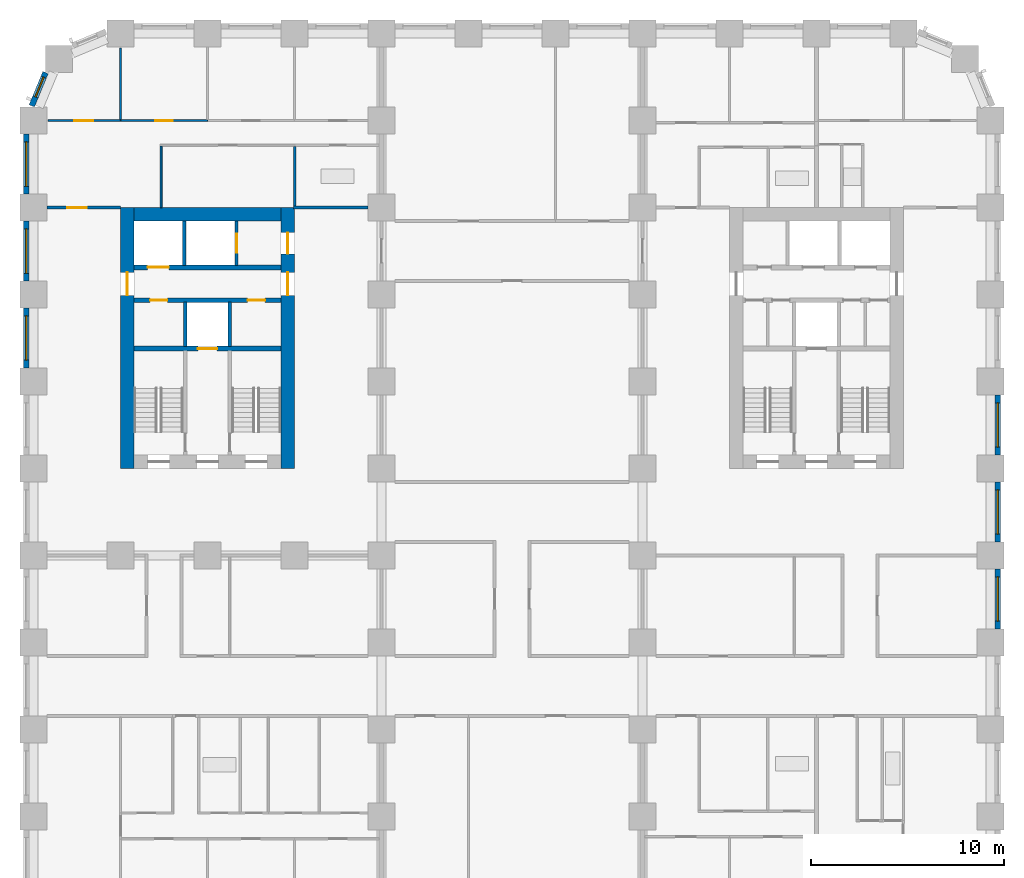
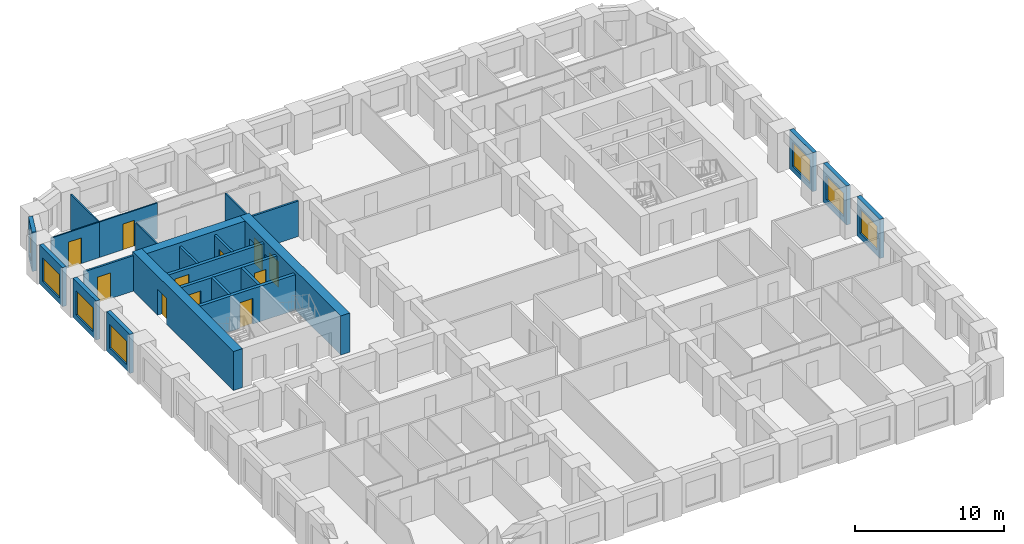
# One storey, part 6 of 12: 24 walls, 11 doors, 7 windows, 18 openings.
"""IFC4 building model written with IfcOpenShell, lengths in metres."""

from ifc_helpers import new_model, si_unit, direction, frame, frame_2d, origin, place, context, subcontext, project, spatial, rectangle, extrude, material, layer, layer_set, type_object, element, fill, save


model = new_model("IFC4")

# Units and contexts
model_context = context("Model", 3, precision=1e-05, world=origin(), true_north=direction((0.0, 1.0)))
body_context = subcontext(model_context, "Body", "Model", "MODEL_VIEW")
ifc_project = project(units=[si_unit("LENGTHUNIT", "METRE"), si_unit("AREAUNIT", "SQUARE_METRE"), si_unit("VOLUMEUNIT", "CUBIC_METRE"), si_unit("PLANEANGLEUNIT", "RADIAN"), si_unit("MASSUNIT", "GRAM", prefix="KILO")], contexts=[model_context])

# Site, building, storey
site_placement = place(None, origin())
site = spatial("IfcSite", under=ifc_project, at=site_placement, CompositionType="ELEMENT")
building_placement = place(site_placement, origin())
building = spatial("IfcBuilding", under=site, at=building_placement, Name="Girih Gate Residences", CompositionType="ELEMENT")
storey_placement = place(building_placement, frame((0.0, 0.0, 62.39990234375)))
storey = spatial("IfcBuildingStorey", under=building, at=storey_placement, Name="L16", CompositionType="ELEMENT", Elevation=62.39990234375)

# Wall
ifc_material_1 = material(Name="Gypsum board on steel studs", Category="steel")
ifc_layer_1 = layer(ifc_material_1, 0.14990234375)
ifc_layer_set_1 = layer_set([ifc_layer_1], Name="Compartment wall 150 mm")
wall_type_1 = type_object("IfcWallType", Name="Compartment wall 150 mm", PredefinedType="PARTITIONING", material=ifc_layer_set_1)
wall_1_placement = place(storey_placement, frame((13.45556640625, 40.5, 0.0), z_axis=(0.0, 0.0, 1.0), x_axis=(1.0, 0.0, 0.0)))
element("IfcWall", 1, at=wall_1_placement, inside=storey, type_object=wall_type_1, Name="L16 partition", PredefinedType="PARTITIONING", context=body_context, shape_type="SweptSolid", body=[
    extrude(rectangle(XDim=3.844482421875, YDim=0.14990234375, at=frame_2d((1.92236328125, 0.0))), origin(), (0.0, 0.0, 1.0), 2.900146484375),
])

# Wall, opening, door
wall_2_placement = place(storey_placement, frame((0.699951171875, 40.5, 0.0), z_axis=(0.0, 0.0, 1.0), x_axis=(1.0, 0.0, 0.0)))
wall_2 = element("IfcWall", 2, at=wall_2_placement, inside=storey, type_object=wall_type_1, Name="L16 partition", PredefinedType="PARTITIONING", context=body_context, shape_type="SweptSolid", body=[
    extrude(rectangle(XDim=3.800048828125, YDim=0.14990234375, at=frame_2d((1.89990234375, 0.0))), origin(), (0.0, 0.0, 1.0), 2.900146484375),
])
opening_1_placement = place(wall_2_placement, frame((1.050048828125, 0.0, 0.0)))
opening_1 = element("IfcOpeningElement", 3, at=opening_1_placement, cuts=wall_2, Name="Opening A16-017", PredefinedType="OPENING", context=body_context, shape_type="SweptSolid", body=[
    extrude(rectangle(XDim=1.0, YDim=2.10009765625, at=frame_2d((0.5, 1.050048828125))), frame((0.0, 0.0849609375, 0.0), z_axis=(0.0, -1.0, 0.0), x_axis=(1.0, 0.0, 0.0)), (0.0, 0.0, 1.0), 0.169921875),
])
ifc_material_2 = material(Name="Timber, fire-rated core", Category="wood")
door_type_1 = type_object("IfcDoorType", Name="Flat entrance door 1000x2100 FD30S", OperationType="NOTDEFINED", PredefinedType="DOOR", material=ifc_material_2)
door_1_placement = place(opening_1_placement, origin())
door_1 = element("IfcDoor", 4, at=door_1_placement, inside=storey, type_object=door_type_1, Name="Door A16-017", OperationType="SINGLE_SWING_LEFT", OverallHeight=2.10009765625, OverallWidth=1.0, PredefinedType="DOOR", context=body_context, shape_type="SweptSolid", body=[
    extrude(rectangle(XDim=1.0, YDim=2.10009765625, at=frame_2d((0.5, 1.050048828125))), frame((0.0, 0.02490234375, 0.0), z_axis=(0.0, -1.0, 0.0), x_axis=(1.0, 0.0, 0.0)), (0.0, 0.0, 1.0), 0.050048828125),
])
fill(opening_1, door_1)

# Wall
ifc_material_3 = material(Name="Concrete C60/75", Category="concrete")
ifc_layer_2 = layer(ifc_material_3, 0.699951171875)
ifc_layer_set_2 = layer_set([ifc_layer_2], Name="Core wall RC 700 Concrete C60/75")
wall_type_2 = type_object("IfcWallType", Name="Core wall RC 700 Concrete C60/75", PredefinedType="SOLIDWALL", material=ifc_layer_set_2)
wall_3_placement = place(storey_placement, frame((5.199951171875, 40.14990234375, 0.0), z_axis=(0.0, 0.0, 1.0), x_axis=(1.0, 0.0, 0.0)))
element("IfcWall", 5, at=wall_3_placement, inside=storey, type_object=wall_type_2, Name="Core wall W-N L16", PredefinedType="SOLIDWALL", context=body_context, shape_type="SweptSolid", body=[
    extrude(rectangle(XDim=7.60009765625, YDim=0.699951171875, at=frame_2d((3.800048828125, 0.0))), origin(), (0.0, 0.0, 1.0), 3.2001953125),
])

# Wall, opening, door
wall_4_placement = place(storey_placement, frame((4.85009765625, 27.0, 0.0), z_axis=(0.0, 0.0, 1.0), x_axis=(0.0, 1.0, 0.0)))
wall_4 = element("IfcWall", 6, at=wall_4_placement, inside=storey, type_object=wall_type_2, Name="Core wall W-W L16", PredefinedType="SOLIDWALL", context=body_context, shape_type="SweptSolid", body=[
    extrude(rectangle(XDim=13.5, YDim=0.699951171875, at=frame_2d((6.75, 0.0))), origin(), (0.0, 0.0, 1.0), 3.2001953125),
])
opening_2_placement = place(wall_4_placement, frame((8.949951171875, 0.0, 0.0)))
opening_2 = element("IfcOpeningElement", 7, at=opening_2_placement, cuts=wall_4, Name="Opening D-L16-W-012", PredefinedType="OPENING", context=body_context, shape_type="SweptSolid", body=[
    extrude(rectangle(XDim=1.199951171875, YDim=2.10009765625, at=frame_2d((0.60009765625, 1.050048828125))), frame((0.0, 0.35986328125, 0.0), z_axis=(0.0, -1.0, 0.0), x_axis=(1.0, 0.0, 0.0)), (0.0, 0.0, 1.0), 0.719970703125),
])
ifc_material_4 = material(Name="Painted steel, fire-resisting", Category="steel")
door_type_2 = type_object("IfcDoorType", Name="Fire door 1200x2100", OperationType="SINGLE_SWING_LEFT", PredefinedType="DOOR", material=ifc_material_4)
door_2_placement = place(opening_2_placement, origin())
door_2 = element("IfcDoor", 8, at=door_2_placement, inside=storey, type_object=door_type_2, Name="L16 W core door ll-w", OperationType="SINGLE_SWING_LEFT", OverallHeight=2.10009765625, OverallWidth=1.199951171875, PredefinedType="DOOR", context=body_context, shape_type="SweptSolid", body=[
    extrude(rectangle(XDim=1.199951171875, YDim=2.10009765625, at=frame_2d((0.60009765625, 1.050048828125))), frame((0.0, 0.02490234375, 0.0), z_axis=(0.0, -1.0, 0.0), x_axis=(1.0, 0.0, 0.0)), (0.0, 0.0, 1.0), 0.050048828125),
])
fill(opening_2, door_2)

# Wall, openings, doors
wall_5_placement = place(storey_placement, frame((13.14990234375, 27.0, 0.0), z_axis=(0.0, 0.0, 1.0), x_axis=(0.0, 1.0, 0.0)))
wall_5 = element("IfcWall", 9, at=wall_5_placement, inside=storey, type_object=wall_type_2, Name="Core wall W-E L16", PredefinedType="SOLIDWALL", context=body_context, shape_type="SweptSolid", body=[
    extrude(rectangle(XDim=13.5, YDim=0.699951171875, at=frame_2d((6.75, 0.0))), origin(), (0.0, 0.0, 1.0), 3.2001953125),
])
opening_3_placement = place(wall_5_placement, frame((11.10009765625, 0.0, 0.0)))
opening_3 = element("IfcOpeningElement", 10, at=opening_3_placement, cuts=wall_5, Name="Opening D-L16-W-011", PredefinedType="OPENING", context=body_context, shape_type="SweptSolid", body=[
    extrude(rectangle(XDim=1.10009765625, YDim=2.10009765625, at=frame_2d((0.550048828125, 1.050048828125))), frame((0.0, 0.35986328125, 0.0), z_axis=(0.0, -1.0, 0.0), x_axis=(1.0, 0.0, 0.0)), (0.0, 0.0, 1.0), 0.719970703125),
])
opening_4_placement = place(wall_5_placement, frame((8.949951171875, 0.0, 0.0)))
opening_4 = element("IfcOpeningElement", 11, at=opening_4_placement, cuts=wall_5, Name="Opening D-L16-W-013", PredefinedType="OPENING", context=body_context, shape_type="SweptSolid", body=[
    extrude(rectangle(XDim=1.199951171875, YDim=2.10009765625, at=frame_2d((0.60009765625, 1.050048828125))), frame((0.0, 0.35986328125, 0.0), z_axis=(0.0, -1.0, 0.0), x_axis=(1.0, 0.0, 0.0)), (0.0, 0.0, 1.0), 0.719970703125),
])
door_type_3 = type_object("IfcDoorType", Name="Fire door 1100x2100", OperationType="SINGLE_SWING_LEFT", PredefinedType="DOOR", material=ifc_material_4)
door_3_placement = place(opening_3_placement, origin())
door_3 = element("IfcDoor", 12, at=door_3_placement, inside=storey, type_object=door_type_3, Name="L16 W core door ffl2-e", OperationType="SINGLE_SWING_LEFT", OverallHeight=2.10009765625, OverallWidth=1.10009765625, PredefinedType="DOOR", context=body_context, shape_type="SweptSolid", body=[
    extrude(rectangle(XDim=1.10009765625, YDim=2.10009765625, at=frame_2d((0.550048828125, 1.050048828125))), frame((0.0, 0.02490234375, 0.0), z_axis=(0.0, -1.0, 0.0), x_axis=(1.0, 0.0, 0.0)), (0.0, 0.0, 1.0), 0.050048828125),
])
fill(opening_3, door_3)
door_4_placement = place(opening_4_placement, origin())
door_4 = element("IfcDoor", 13, at=door_4_placement, inside=storey, type_object=door_type_2, Name="L16 W core door ll-e", OperationType="SINGLE_SWING_LEFT", OverallHeight=2.10009765625, OverallWidth=1.199951171875, PredefinedType="DOOR", context=body_context, shape_type="SweptSolid", body=[
    extrude(rectangle(XDim=1.199951171875, YDim=2.10009765625, at=frame_2d((0.60009765625, 1.050048828125))), frame((0.0, 0.02490234375, 0.0), z_axis=(0.0, -1.0, 0.0), x_axis=(1.0, 0.0, 0.0)), (0.0, 0.0, 1.0), 0.050048828125),
])
fill(opening_4, door_4)

# Wall, opening, door
ifc_material_5 = material(Name="Concrete C40/50", Category="concrete")
ifc_layer_3 = layer(ifc_material_5, 0.25)
ifc_layer_set_3 = layer_set([ifc_layer_3], Name="Lift shaft wall 250")
wall_type_3 = type_object("IfcWallType", Name="Lift shaft wall 250", PredefinedType="SOLIDWALL", material=ifc_layer_set_3)
wall_6_placement = place(storey_placement, frame((5.199951171875, 33.199951171875, 0.0), z_axis=(0.0, 0.0, 1.0), x_axis=(1.0, 0.0, 0.0)))
wall_6 = element("IfcWall", 14, at=wall_6_placement, inside=storey, type_object=wall_type_3, Name="L16 W core wall H1", PredefinedType="SOLIDWALL", context=body_context, shape_type="SweptSolid", body=[
    extrude(rectangle(XDim=7.60009765625, YDim=0.25, at=frame_2d((3.800048828125, 0.0))), origin(), (0.0, 0.0, 1.0), 2.900146484375),
])
opening_5_placement = place(wall_6_placement, frame((3.300048828125, 0.0, 0.0)))
opening_5 = element("IfcOpeningElement", 15, at=opening_5_placement, cuts=wall_6, Name="Opening D-L16-W-005", PredefinedType="OPENING", context=body_context, shape_type="SweptSolid", body=[
    extrude(rectangle(XDim=1.0, YDim=2.10009765625, at=frame_2d((0.5, 1.050048828125))), frame((0.0, 0.135009765625, 0.0), z_axis=(0.0, -1.0, 0.0), x_axis=(1.0, 0.0, 0.0)), (0.0, 0.0, 1.0), 0.27001953125),
])
ifc_material_6 = material(Name="Stainless steel, fire-resisting", Category="steel")
door_type_4 = type_object("IfcDoorType", Name="Firefighting lift landing door 1000x2100", OperationType="SLIDING_TO_LEFT", PredefinedType="DOOR", material=ifc_material_6)
door_5_placement = place(opening_5_placement, origin())
door_5 = element("IfcDoor", 16, at=door_5_placement, inside=storey, type_object=door_type_4, Name="L16 lift FF-W landing door", OperationType="SLIDING_TO_LEFT", OverallHeight=2.10009765625, OverallWidth=1.0, PredefinedType="DOOR", context=body_context, shape_type="SweptSolid", body=[
    extrude(rectangle(XDim=1.0, YDim=2.10009765625, at=frame_2d((0.5, 1.050048828125))), frame((0.0, 0.02490234375, 0.0), z_axis=(0.0, -1.0, 0.0), x_axis=(1.0, 0.0, 0.0)), (0.0, 0.0, 1.0), 0.050048828125),
])
fill(opening_5, door_5)

# Wall, openings, doors
wall_7_placement = place(storey_placement, frame((5.199951171875, 35.699951171875, 0.0), z_axis=(0.0, 0.0, 1.0), x_axis=(1.0, 0.0, 0.0)))
wall_7 = element("IfcWall", 17, at=wall_7_placement, inside=storey, type_object=wall_type_3, Name="L16 W core wall H2", PredefinedType="SOLIDWALL", context=body_context, shape_type="SweptSolid", body=[
    extrude(rectangle(XDim=7.60009765625, YDim=0.25, at=frame_2d((3.800048828125, 0.0))), origin(), (0.0, 0.0, 1.0), 2.900146484375),
])
opening_6_placement = place(wall_7_placement, frame((0.824951171875, 0.0, 0.0)))
opening_6 = element("IfcOpeningElement", 18, at=opening_6_placement, cuts=wall_7, Name="Opening D-L16-W-006", PredefinedType="OPENING", context=body_context, shape_type="SweptSolid", body=[
    extrude(rectangle(XDim=0.89990234375, YDim=2.10009765625, at=frame_2d((0.449951171875, 1.050048828125))), frame((0.0, 0.135009765625, 0.0), z_axis=(0.0, -1.0, 0.0), x_axis=(1.0, 0.0, 0.0)), (0.0, 0.0, 1.0), 0.27001953125),
])
opening_7_placement = place(wall_7_placement, frame((5.875, 0.0, 0.0)))
opening_7 = element("IfcOpeningElement", 19, at=opening_7_placement, cuts=wall_7, Name="Opening D-L16-W-007", PredefinedType="OPENING", context=body_context, shape_type="SweptSolid", body=[
    extrude(rectangle(XDim=0.89990234375, YDim=2.10009765625, at=frame_2d((0.449951171875, 1.050048828125))), frame((0.0, 0.135009765625, 0.0), z_axis=(0.0, -1.0, 0.0), x_axis=(1.0, 0.0, 0.0)), (0.0, 0.0, 1.0), 0.27001953125),
])
door_type_5 = type_object("IfcDoorType", Name="Fire door 900x2100", OperationType="SINGLE_SWING_LEFT", PredefinedType="DOOR", material=ifc_material_4)
door_6_placement = place(opening_6_placement, origin())
door_6 = element("IfcDoor", 20, at=door_6_placement, inside=storey, type_object=door_type_5, Name="L16 W linen store door", OperationType="SINGLE_SWING_LEFT", OverallHeight=2.10009765625, OverallWidth=0.89990234375, PredefinedType="DOOR", context=body_context, shape_type="SweptSolid", body=[
    extrude(rectangle(XDim=0.89990234375, YDim=2.10009765625, at=frame_2d((0.449951171875, 1.050048828125))), frame((0.0, 0.02490234375, 0.0), z_axis=(0.0, -1.0, 0.0), x_axis=(1.0, 0.0, 0.0)), (0.0, 0.0, 1.0), 0.050048828125),
])
fill(opening_6, door_6)
door_7_placement = place(opening_7_placement, origin())
door_7 = element("IfcDoor", 21, at=door_7_placement, inside=storey, type_object=door_type_5, Name="L16 W housekeeping store door", OperationType="SINGLE_SWING_LEFT", OverallHeight=2.10009765625, OverallWidth=0.89990234375, PredefinedType="DOOR", context=body_context, shape_type="SweptSolid", body=[
    extrude(rectangle(XDim=0.89990234375, YDim=2.10009765625, at=frame_2d((0.449951171875, 1.050048828125))), frame((0.0, 0.02490234375, 0.0), z_axis=(0.0, -1.0, 0.0), x_axis=(1.0, 0.0, 0.0)), (0.0, 0.0, 1.0), 0.050048828125),
])
fill(opening_7, door_7)

# Wall, opening, door
wall_8_placement = place(storey_placement, frame((5.199951171875, 37.39990234375, 0.0), z_axis=(0.0, 0.0, 1.0), x_axis=(1.0, 0.0, 0.0)))
wall_8 = element("IfcWall", 22, at=wall_8_placement, inside=storey, type_object=wall_type_3, Name="L16 W core wall H3", PredefinedType="SOLIDWALL", context=body_context, shape_type="SweptSolid", body=[
    extrude(rectangle(XDim=7.60009765625, YDim=0.25, at=frame_2d((3.800048828125, 0.0))), origin(), (0.0, 0.0, 1.0), 2.900146484375),
])
opening_8_placement = place(wall_8_placement, frame((0.699951171875, 0.0, 0.0)))
opening_8 = element("IfcOpeningElement", 23, at=opening_8_placement, cuts=wall_8, Name="Opening D-L16-W-003", PredefinedType="OPENING", context=body_context, shape_type="SweptSolid", body=[
    extrude(rectangle(XDim=1.10009765625, YDim=2.39990234375, at=frame_2d((0.550048828125, 1.199951171875))), frame((0.0, 0.135009765625, 0.0), z_axis=(0.0, -1.0, 0.0), x_axis=(1.0, 0.0, 0.0)), (0.0, 0.0, 1.0), 0.27001953125),
])
ifc_material_7 = material(Name="Stainless steel", Category="steel")
door_type_6 = type_object("IfcDoorType", Name="Lift landing door 1100x2400", OperationType="SLIDING_TO_LEFT", PredefinedType="DOOR", material=ifc_material_7)
door_8_placement = place(opening_8_placement, origin())
door_8 = element("IfcDoor", 24, at=door_8_placement, inside=storey, type_object=door_type_6, Name="L16 lift LR-W1 landing door", OperationType="SLIDING_TO_LEFT", OverallHeight=2.39990234375, OverallWidth=1.10009765625, PredefinedType="DOOR", context=body_context, shape_type="SweptSolid", body=[
    extrude(rectangle(XDim=1.10009765625, YDim=2.39990234375, at=frame_2d((0.550048828125, 1.199951171875))), frame((0.0, 0.02490234375, 0.0), z_axis=(0.0, -1.0, 0.0), x_axis=(1.0, 0.0, 0.0)), (0.0, 0.0, 1.0), 0.050048828125),
])
fill(opening_8, door_8)

ifc_layer_4 = layer(ifc_material_1, 0.10009765625)
ifc_layer_set_4 = layer_set([ifc_layer_4], Name="Partition 100 mm")
wall_type_4 = type_object("IfcWallType", Name="Partition 100 mm", PredefinedType="PARTITIONING", material=ifc_layer_set_4)
wall_9_placement = place(storey_placement, frame((4.5, 45.0, 0.0), z_axis=(0.0, 0.0, 1.0), x_axis=(1.0, 0.0, 0.0)))
wall_9 = element("IfcWall", 25, at=wall_9_placement, inside=storey, type_object=wall_type_4, Name="L16 partition", PredefinedType="PARTITIONING", context=body_context, shape_type="SweptSolid", body=[
    extrude(rectangle(XDim=4.5, YDim=0.10009765625, at=frame_2d((2.25, 0.0))), origin(), (0.0, 0.0, 1.0), 2.900146484375),
])
opening_9_placement = place(wall_9_placement, frame((1.800048828125, 0.0, 0.0)))
opening_9 = element("IfcOpeningElement", 26, at=opening_9_placement, cuts=wall_9, Name="Opening A16-012", PredefinedType="OPENING", context=body_context, shape_type="SweptSolid", body=[
    extrude(rectangle(XDim=0.89990234375, YDim=2.10009765625, at=frame_2d((0.449951171875, 1.050048828125))), frame((0.0, 0.06005859375, 0.0), z_axis=(0.0, -1.0, 0.0), x_axis=(1.0, 0.0, 0.0)), (0.0, 0.0, 1.0), 0.1201171875),
])
ifc_material_8 = material(Name="Timber", Category="wood")
door_type_7 = type_object("IfcDoorType", Name="Bedroom door 900x2100", OperationType="NOTDEFINED", PredefinedType="DOOR", material=ifc_material_8)
door_9_placement = place(opening_9_placement, origin())
door_9 = element("IfcDoor", 27, at=door_9_placement, inside=storey, type_object=door_type_7, Name="Door A16-012", OperationType="SINGLE_SWING_RIGHT", OverallHeight=2.10009765625, OverallWidth=0.89990234375, PredefinedType="DOOR", context=body_context, shape_type="SweptSolid", body=[
    extrude(rectangle(XDim=0.89990234375, YDim=2.10009765625, at=frame_2d((0.449951171875, 1.050048828125))), frame((0.0, 0.02490234375, 0.0), z_axis=(0.0, -1.0, 0.0), x_axis=(1.0, 0.0, 0.0)), (0.0, 0.0, 1.0), 0.050048828125),
])
fill(opening_9, door_9)

# Walls
wall_10_placement = place(storey_placement, frame((4.5, 45.050048828125, 0.0), z_axis=(0.0, 0.0, 1.0), x_axis=(0.0, 1.0, 0.0)))
element("IfcWall", 28, at=wall_10_placement, inside=storey, type_object=wall_type_4, Name="L16 partition", PredefinedType="PARTITIONING", context=body_context, shape_type="SweptSolid", body=[
    extrude(rectangle(XDim=3.6923828125, YDim=0.10009765625, at=frame_2d((1.84619140625, 0.0))), origin(), (0.0, 0.0, 1.0), 2.900146484375),
])
wall_11_placement = place(storey_placement, frame((6.60009765625, 40.5, 0.0), z_axis=(0.0, 0.0, 1.0), x_axis=(0.0, 1.0, 0.0)))
element("IfcWall", 29, at=wall_11_placement, inside=storey, type_object=wall_type_4, Name="L16 partition", PredefinedType="PARTITIONING", context=body_context, shape_type="SweptSolid", body=[
    extrude(rectangle(XDim=3.169921875, YDim=0.10009765625, at=frame_2d((1.5849609375, 0.0))), origin(), (0.0, 0.0, 1.0), 2.900146484375),
])

# Wall, opening, door
wall_12_placement = place(storey_placement, frame((0.757568359375, 45.0, 0.0), z_axis=(0.0, 0.0, 1.0), x_axis=(1.0, 0.0, 0.0)))
wall_12 = element("IfcWall", 30, at=wall_12_placement, inside=storey, type_object=wall_type_4, Name="L16 partition", PredefinedType="PARTITIONING", context=body_context, shape_type="SweptSolid", body=[
    extrude(rectangle(XDim=3.742431640625, YDim=0.10009765625, at=frame_2d((1.87109375, 0.0))), origin(), (0.0, 0.0, 1.0), 2.900146484375),
])
opening_10_placement = place(wall_12_placement, frame((1.34228515625, 0.0, 0.0)))
opening_10 = element("IfcOpeningElement", 31, at=opening_10_placement, cuts=wall_12, Name="Opening A16-016", PredefinedType="OPENING", context=body_context, shape_type="SweptSolid", body=[
    extrude(rectangle(XDim=1.0, YDim=2.10009765625, at=frame_2d((0.5, 1.050048828125))), frame((0.0, 0.06005859375, 0.0), z_axis=(0.0, -1.0, 0.0), x_axis=(1.0, 0.0, 0.0)), (0.0, 0.0, 1.0), 0.1201171875),
])
door_type_8 = type_object("IfcDoorType", Name="Living room door 1000x2100", OperationType="NOTDEFINED", PredefinedType="DOOR", material=ifc_material_8)
door_10_placement = place(opening_10_placement, origin())
door_10 = element("IfcDoor", 32, at=door_10_placement, inside=storey, type_object=door_type_8, Name="Door A16-016", OperationType="SINGLE_SWING_LEFT", OverallHeight=2.10009765625, OverallWidth=1.0, PredefinedType="DOOR", context=body_context, shape_type="SweptSolid", body=[
    extrude(rectangle(XDim=1.0, YDim=2.10009765625, at=frame_2d((0.5, 1.050048828125))), frame((0.0, 0.02490234375, 0.0), z_axis=(0.0, -1.0, 0.0), x_axis=(1.0, 0.0, 0.0)), (0.0, 0.0, 1.0), 0.050048828125),
])
fill(opening_10, door_10)

# Wall, opening, window
ifc_material_9 = material(Name="Precast concrete C50/60", Category="concrete")
ifc_layer_5 = layer(ifc_material_9, 0.080078125, Name="Outer leaf")
ifc_material_10 = material(Name="Rigid PIR insulation")
ifc_layer_6 = layer(ifc_material_10, 0.14990234375, Name="Insulation")
ifc_material_11 = material(Name="Precast concrete C40/50", Category="concrete")
ifc_layer_7 = layer(ifc_material_11, 0.070068359375, Name="Inner leaf")
ifc_layer_set_5 = layer_set([ifc_layer_5, ifc_layer_6, ifc_layer_7], Name="Precast concrete C50/60 external wall 300")
wall_type_5 = type_object("IfcWallType", Name="Precast concrete C50/60 external wall 300", PredefinedType="SOLIDWALL", material=ifc_layer_set_5)
wall_13_placement = place(storey_placement, frame((49.875, 21.800048828125, 0.0), z_axis=(0.0, 0.0, 1.0), x_axis=(0.0, -1.0, 0.0)))
wall_13 = element("IfcWall", 33, at=wall_13_placement, inside=storey, type_object=wall_type_5, Name="External wall E0495_0045.3", PredefinedType="SOLIDWALL", context=body_context, shape_type="SweptSolid", body=[
    extrude(rectangle(XDim=3.10009765625, YDim=0.300048828125, at=frame_2d((1.550048828125, 0.0))), origin(), (0.0, 0.0, 1.0), 3.2001953125),
])
opening_11_placement = place(wall_13_placement, frame((0.39990234375, 0.0, 0.449951171875)))
opening_11 = element("IfcOpeningElement", 34, at=opening_11_placement, cuts=wall_13, Name="Opening W-1", PredefinedType="OPENING", context=body_context, shape_type="SweptSolid", body=[
    extrude(rectangle(XDim=2.300048828125, YDim=1.949951171875, at=frame_2d((1.14990234375, 0.97509765625))), frame((0.0, 0.159912109375, 0.0), z_axis=(0.0, -1.0, 0.0), x_axis=(1.0, 0.0, 0.0)), (0.0, 0.0, 1.0), 0.320068359375),
])
ifc_material_12 = material(Name="Double glazing in aluminium frame", Category="aluminium")
window_type_1 = type_object("IfcWindowType", Name="Window W-1 2300x1950", PartitioningType="SINGLE_PANEL", PredefinedType="WINDOW", material=ifc_material_12)
window_1_placement = place(opening_11_placement, origin())
window_1 = element("IfcWindow", 35, at=window_1_placement, inside=storey, type_object=window_type_1, Name="Window W-1 E0495_0045.3", OverallHeight=1.949951171875, OverallWidth=2.300048828125, PartitioningType="SINGLE_PANEL", PredefinedType="WINDOW", context=body_context, shape_type="SweptSolid", body=[
    extrude(rectangle(XDim=2.300048828125, YDim=1.949951171875, at=frame_2d((1.14990234375, 0.97509765625))), frame((0.0, 0.030029296875, 0.0), z_axis=(0.0, -1.0, 0.0), x_axis=(1.0, 0.0, 0.0)), (0.0, 0.0, 1.0), 0.06005859375),
])
fill(opening_11, window_1)

wall_14_placement = place(storey_placement, frame((49.875, 26.300048828125, 0.0), z_axis=(0.0, 0.0, 1.0), x_axis=(0.0, -1.0, 0.0)))
wall_14 = element("IfcWall", 36, at=wall_14_placement, inside=storey, type_object=wall_type_5, Name="External wall E0495_0045.4", PredefinedType="SOLIDWALL", context=body_context, shape_type="SweptSolid", body=[
    extrude(rectangle(XDim=3.10009765625, YDim=0.300048828125, at=frame_2d((1.550048828125, 0.0))), origin(), (0.0, 0.0, 1.0), 3.2001953125),
])
opening_12_placement = place(wall_14_placement, frame((0.39990234375, 0.0, 0.449951171875)))
opening_12 = element("IfcOpeningElement", 37, at=opening_12_placement, cuts=wall_14, Name="Opening W-1", PredefinedType="OPENING", context=body_context, shape_type="SweptSolid", body=[
    extrude(rectangle(XDim=2.300048828125, YDim=1.949951171875, at=frame_2d((1.14990234375, 0.97509765625))), frame((0.0, 0.159912109375, 0.0), z_axis=(0.0, -1.0, 0.0), x_axis=(1.0, 0.0, 0.0)), (0.0, 0.0, 1.0), 0.320068359375),
])
window_2_placement = place(opening_12_placement, origin())
window_2 = element("IfcWindow", 38, at=window_2_placement, inside=storey, type_object=window_type_1, Name="Window W-1 E0495_0045.4", OverallHeight=1.949951171875, OverallWidth=2.300048828125, PartitioningType="SINGLE_PANEL", PredefinedType="WINDOW", context=body_context, shape_type="SweptSolid", body=[
    extrude(rectangle(XDim=2.300048828125, YDim=1.949951171875, at=frame_2d((1.14990234375, 0.97509765625))), frame((0.0, 0.030029296875, 0.0), z_axis=(0.0, -1.0, 0.0), x_axis=(1.0, 0.0, 0.0)), (0.0, 0.0, 1.0), 0.06005859375),
])
fill(opening_12, window_2)

wall_15_placement = place(storey_placement, frame((49.875, 30.800048828125, 0.0), z_axis=(0.0, 0.0, 1.0), x_axis=(0.0, -1.0, 0.0)))
wall_15 = element("IfcWall", 39, at=wall_15_placement, inside=storey, type_object=wall_type_5, Name="External wall E0495_0045.5", PredefinedType="SOLIDWALL", context=body_context, shape_type="SweptSolid", body=[
    extrude(rectangle(XDim=3.10009765625, YDim=0.300048828125, at=frame_2d((1.550048828125, 0.0))), origin(), (0.0, 0.0, 1.0), 3.2001953125),
])
opening_13_placement = place(wall_15_placement, frame((0.39990234375, 0.0, 0.449951171875)))
opening_13 = element("IfcOpeningElement", 40, at=opening_13_placement, cuts=wall_15, Name="Opening W-1", PredefinedType="OPENING", context=body_context, shape_type="SweptSolid", body=[
    extrude(rectangle(XDim=2.300048828125, YDim=1.949951171875, at=frame_2d((1.14990234375, 0.97509765625))), frame((0.0, 0.159912109375, 0.0), z_axis=(0.0, -1.0, 0.0), x_axis=(1.0, 0.0, 0.0)), (0.0, 0.0, 1.0), 0.320068359375),
])
window_3_placement = place(opening_13_placement, origin())
window_3 = element("IfcWindow", 41, at=window_3_placement, inside=storey, type_object=window_type_1, Name="Window W-1 E0495_0045.5", OverallHeight=1.949951171875, OverallWidth=2.300048828125, PartitioningType="SINGLE_PANEL", PredefinedType="WINDOW", context=body_context, shape_type="SweptSolid", body=[
    extrude(rectangle(XDim=2.300048828125, YDim=1.949951171875, at=frame_2d((1.14990234375, 0.97509765625))), frame((0.0, 0.030029296875, 0.0), z_axis=(0.0, -1.0, 0.0), x_axis=(1.0, 0.0, 0.0)), (0.0, 0.0, 1.0), 0.06005859375),
])
fill(opening_13, window_3)

wall_16_placement = place(storey_placement, frame((-0.09228515625, 45.75732421875, 0.0), z_axis=(0.0, 0.0, 1.0), x_axis=(0.382737135771, 0.923857286003, 0.0)))
wall_16 = element("IfcWall", 42, at=wall_16_placement, inside=storey, type_object=wall_type_5, Name="External wall NW0013_0482.0", PredefinedType="SOLIDWALL", context=body_context, shape_type="SweptSolid", body=[
    extrude(rectangle(XDim=1.865234375, YDim=0.300048828125, at=frame_2d((0.9326171875, 0.0))), origin(), (0.0, 0.0, 1.0), 3.2001953125),
])
opening_14_placement = place(wall_16_placement, frame((0.507568359375, 0.0, 0.449951171875)))
opening_14 = element("IfcOpeningElement", 43, at=opening_14_placement, cuts=wall_16, Name="Opening W-2C", PredefinedType="OPENING", context=body_context, shape_type="SweptSolid", body=[
    extrude(rectangle(XDim=1.10009765625, YDim=1.949951171875, at=frame_2d((0.550048828125, 0.97509765625))), frame((0.0, 0.159912109375, 0.0), z_axis=(0.0, -1.0, 0.0), x_axis=(1.0, 0.0, 0.0)), (0.0, 0.0, 1.0), 0.320068359375),
])
window_type_2 = type_object("IfcWindowType", Name="Window W-2C 1100x1950", PartitioningType="SINGLE_PANEL", PredefinedType="WINDOW", material=ifc_material_12)
window_4_placement = place(opening_14_placement, origin())
window_4 = element("IfcWindow", 44, at=window_4_placement, inside=storey, type_object=window_type_2, Name="Window W-2C NW0013_0482.0", OverallHeight=1.949951171875, OverallWidth=1.10009765625, PartitioningType="SINGLE_PANEL", PredefinedType="WINDOW", context=body_context, shape_type="SweptSolid", body=[
    extrude(rectangle(XDim=1.10009765625, YDim=1.949951171875, at=frame_2d((0.550048828125, 0.97509765625))), frame((0.0, 0.030029296875, 0.0), z_axis=(0.0, -1.0, 0.0), x_axis=(1.0, 0.0, 0.0)), (0.0, 0.0, 1.0), 0.06005859375),
])
fill(opening_14, window_4)

wall_17_placement = place(storey_placement, frame((-0.375, 41.199951171875, 0.0), z_axis=(0.0, 0.0, 1.0), x_axis=(0.0, 1.0, 0.0)))
wall_17 = element("IfcWall", 45, at=wall_17_placement, inside=storey, type_object=wall_type_5, Name="External wall W0000_0450.0", PredefinedType="SOLIDWALL", context=body_context, shape_type="SweptSolid", body=[
    extrude(rectangle(XDim=3.10009765625, YDim=0.300048828125, at=frame_2d((1.550048828125, 0.0))), origin(), (0.0, 0.0, 1.0), 3.2001953125),
])
opening_15_placement = place(wall_17_placement, frame((0.39990234375, 0.0, 0.449951171875)))
opening_15 = element("IfcOpeningElement", 46, at=opening_15_placement, cuts=wall_17, Name="Opening W-1", PredefinedType="OPENING", context=body_context, shape_type="SweptSolid", body=[
    extrude(rectangle(XDim=2.300048828125, YDim=1.949951171875, at=frame_2d((1.14990234375, 0.97509765625))), frame((0.0, 0.159912109375, 0.0), z_axis=(0.0, -1.0, 0.0), x_axis=(1.0, 0.0, 0.0)), (0.0, 0.0, 1.0), 0.320068359375),
])
window_5_placement = place(opening_15_placement, origin())
window_5 = element("IfcWindow", 47, at=window_5_placement, inside=storey, type_object=window_type_1, Name="Window W-1 W0000_0450.0", OverallHeight=1.949951171875, OverallWidth=2.300048828125, PartitioningType="SINGLE_PANEL", PredefinedType="WINDOW", context=body_context, shape_type="SweptSolid", body=[
    extrude(rectangle(XDim=2.300048828125, YDim=1.949951171875, at=frame_2d((1.14990234375, 0.97509765625))), frame((0.0, 0.030029296875, 0.0), z_axis=(0.0, -1.0, 0.0), x_axis=(1.0, 0.0, 0.0)), (0.0, 0.0, 1.0), 0.06005859375),
])
fill(opening_15, window_5)

wall_18_placement = place(storey_placement, frame((-0.375, 36.699951171875, 0.0), z_axis=(0.0, 0.0, 1.0), x_axis=(0.0, 1.0, 0.0)))
wall_18 = element("IfcWall", 48, at=wall_18_placement, inside=storey, type_object=wall_type_5, Name="External wall W0000_0450.1", PredefinedType="SOLIDWALL", context=body_context, shape_type="SweptSolid", body=[
    extrude(rectangle(XDim=3.10009765625, YDim=0.300048828125, at=frame_2d((1.550048828125, 0.0))), origin(), (0.0, 0.0, 1.0), 3.2001953125),
])
opening_16_placement = place(wall_18_placement, frame((0.39990234375, 0.0, 0.449951171875)))
opening_16 = element("IfcOpeningElement", 49, at=opening_16_placement, cuts=wall_18, Name="Opening W-1", PredefinedType="OPENING", context=body_context, shape_type="SweptSolid", body=[
    extrude(rectangle(XDim=2.300048828125, YDim=1.949951171875, at=frame_2d((1.14990234375, 0.97509765625))), frame((0.0, 0.159912109375, 0.0), z_axis=(0.0, -1.0, 0.0), x_axis=(1.0, 0.0, 0.0)), (0.0, 0.0, 1.0), 0.320068359375),
])
window_6_placement = place(opening_16_placement, origin())
window_6 = element("IfcWindow", 50, at=window_6_placement, inside=storey, type_object=window_type_1, Name="Window W-1 W0000_0450.1", OverallHeight=1.949951171875, OverallWidth=2.300048828125, PartitioningType="SINGLE_PANEL", PredefinedType="WINDOW", context=body_context, shape_type="SweptSolid", body=[
    extrude(rectangle(XDim=2.300048828125, YDim=1.949951171875, at=frame_2d((1.14990234375, 0.97509765625))), frame((0.0, 0.030029296875, 0.0), z_axis=(0.0, -1.0, 0.0), x_axis=(1.0, 0.0, 0.0)), (0.0, 0.0, 1.0), 0.06005859375),
])
fill(opening_16, window_6)

wall_19_placement = place(storey_placement, frame((-0.375, 32.199951171875, 0.0), z_axis=(0.0, 0.0, 1.0), x_axis=(0.0, 1.0, 0.0)))
wall_19 = element("IfcWall", 51, at=wall_19_placement, inside=storey, type_object=wall_type_5, Name="External wall W0000_0450.2", PredefinedType="SOLIDWALL", context=body_context, shape_type="SweptSolid", body=[
    extrude(rectangle(XDim=3.10009765625, YDim=0.300048828125, at=frame_2d((1.550048828125, 0.0))), origin(), (0.0, 0.0, 1.0), 3.2001953125),
])
opening_17_placement = place(wall_19_placement, frame((0.39990234375, 0.0, 0.449951171875)))
opening_17 = element("IfcOpeningElement", 52, at=opening_17_placement, cuts=wall_19, Name="Opening W-1", PredefinedType="OPENING", context=body_context, shape_type="SweptSolid", body=[
    extrude(rectangle(XDim=2.300048828125, YDim=1.949951171875, at=frame_2d((1.14990234375, 0.97509765625))), frame((0.0, 0.159912109375, 0.0), z_axis=(0.0, -1.0, 0.0), x_axis=(1.0, 0.0, 0.0)), (0.0, 0.0, 1.0), 0.320068359375),
])
window_7_placement = place(opening_17_placement, origin())
window_7 = element("IfcWindow", 53, at=window_7_placement, inside=storey, type_object=window_type_1, Name="Window W-1 W0000_0450.2", OverallHeight=1.949951171875, OverallWidth=2.300048828125, PartitioningType="SINGLE_PANEL", PredefinedType="WINDOW", context=body_context, shape_type="SweptSolid", body=[
    extrude(rectangle(XDim=2.300048828125, YDim=1.949951171875, at=frame_2d((1.14990234375, 0.97509765625))), frame((0.0, 0.030029296875, 0.0), z_axis=(0.0, -1.0, 0.0), x_axis=(1.0, 0.0, 0.0)), (0.0, 0.0, 1.0), 0.06005859375),
])
fill(opening_17, window_7)

# Wall
ifc_layer_8 = layer(ifc_material_5, 0.175048828125)
ifc_layer_set_6 = layer_set([ifc_layer_8], Name="Riser shaft wall 175")
wall_type_6 = type_object("IfcWallType", Name="Riser shaft wall 175", PredefinedType="SOLIDWALL", material=ifc_layer_set_6)
wall_20_placement = place(storey_placement, frame((7.800048828125, 37.5, 0.0), z_axis=(0.0, 0.0, 1.0), x_axis=(0.0, 1.0, 0.0)))
element("IfcWall", 54, at=wall_20_placement, inside=storey, type_object=wall_type_6, Name="L16 W core wall V1c", PredefinedType="SOLIDWALL", context=body_context, shape_type="SweptSolid", body=[
    extrude(rectangle(XDim=2.300048828125, YDim=0.175048828125, at=frame_2d((1.14990234375, 0.0))), origin(), (0.0, 0.0, 1.0), 2.900146484375),
])

# Wall, opening, door
wall_21_placement = place(storey_placement, frame((10.5, 37.5, 0.0), z_axis=(0.0, 0.0, 1.0), x_axis=(0.0, 1.0, 0.0)))
wall_21 = element("IfcWall", 55, at=wall_21_placement, inside=storey, type_object=wall_type_6, Name="L16 W core wall V2c", PredefinedType="SOLIDWALL", context=body_context, shape_type="SweptSolid", body=[
    extrude(rectangle(XDim=2.300048828125, YDim=0.175048828125, at=frame_2d((1.14990234375, 0.0))), origin(), (0.0, 0.0, 1.0), 2.900146484375),
])
opening_18_placement = place(wall_21_placement, frame((0.64990234375, 0.0, 0.0)))
opening_18 = element("IfcOpeningElement", 56, at=opening_18_placement, cuts=wall_21, Name="Opening D-L16-W-004", PredefinedType="OPENING", context=body_context, shape_type="SweptSolid", body=[
    extrude(rectangle(XDim=1.0, YDim=2.10009765625, at=frame_2d((0.5, 1.050048828125))), frame((0.0, 0.097412109375, 0.0), z_axis=(0.0, -1.0, 0.0), x_axis=(1.0, 0.0, 0.0)), (0.0, 0.0, 1.0), 0.195068359375),
])
door_11_placement = place(opening_18_placement, origin())
door_11 = element("IfcDoor", 57, at=door_11_placement, inside=storey, type_object=door_type_4, Name="L16 lift FF-W2 landing door", OperationType="SLIDING_TO_LEFT", OverallHeight=2.10009765625, OverallWidth=1.0, PredefinedType="DOOR", context=body_context, shape_type="SweptSolid", body=[
    extrude(rectangle(XDim=1.0, YDim=2.10009765625, at=frame_2d((0.5, 1.050048828125))), frame((0.0, 0.02490234375, 0.0), z_axis=(0.0, -1.0, 0.0), x_axis=(1.0, 0.0, 0.0)), (0.0, 0.0, 1.0), 0.050048828125),
])
fill(opening_18, door_11)

# Walls
ifc_layer_9 = layer(ifc_material_5, 0.199951171875)
ifc_layer_set_7 = layer_set([ifc_layer_9], Name="Shaft wall 200")
wall_type_7 = type_object("IfcWallType", Name="Shaft wall 200", PredefinedType="SOLIDWALL", material=ifc_layer_set_7)
for number, where, z_axis, x_axis, name in (
    (58, (7.85009765625, 33.300048828125, 0.0), (0.0, 0.0, 1.0), (0.0, 1.0, 0.0), "L16 W core wall V1b"),
    (59, (10.14990234375, 33.300048828125, 0.0), (0.0, 0.0, 1.0), (0.0, 1.0, 0.0), "L16 W core wall V2b"),
):
    element("IfcWall", number, at=place(storey_placement, frame(where, z_axis=z_axis, x_axis=x_axis)), inside=storey, type_object=wall_type_7, Name=name, PredefinedType="SOLIDWALL", context=body_context, shape_type="SweptSolid", body=[
        extrude(rectangle(XDim=2.300048828125, YDim=0.199951171875, at=frame_2d((1.14990234375, 0.0))), origin(), (0.0, 0.0, 1.0), 2.900146484375),
    ])
ifc_layer_10 = layer(ifc_material_1, 0.125)
ifc_layer_set_8 = layer_set([ifc_layer_10], Name="Wet room wall 125 mm")
wall_type_8 = type_object("IfcWallType", Name="Wet room wall 125 mm", PredefinedType="PARTITIONING", material=ifc_layer_set_8)
wall_22_placement = place(storey_placement, frame((13.51806640625, 40.574951171875, 0.0), z_axis=(0.0, 0.0, 1.0), x_axis=(0.0, 1.0, 0.0)))
element("IfcWall", 60, at=wall_22_placement, inside=storey, type_object=wall_type_8, Name="L16 partition", PredefinedType="PARTITIONING", context=body_context, shape_type="SweptSolid", body=[
    extrude(rectangle(XDim=3.08251953125, YDim=0.125, at=frame_2d((1.541259765625, 0.0))), origin(), (0.0, 0.0, 1.0), 2.900146484375),
])

save(model, "model.ifc")
